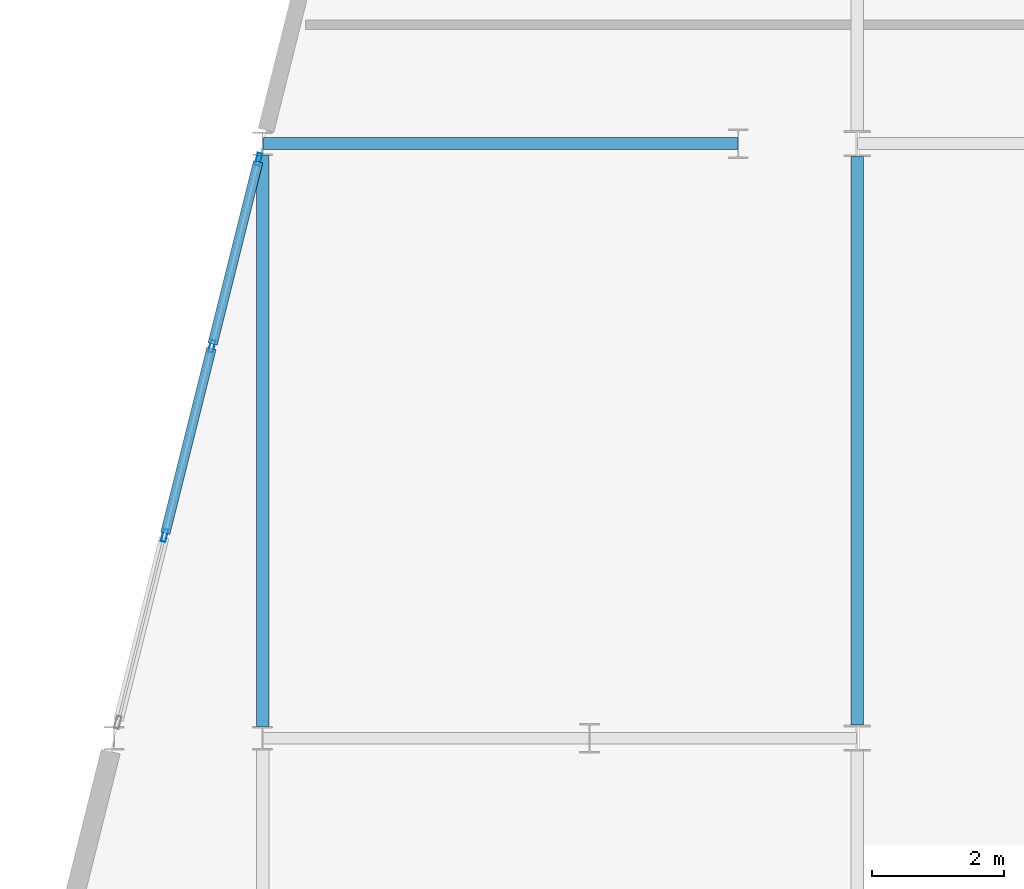
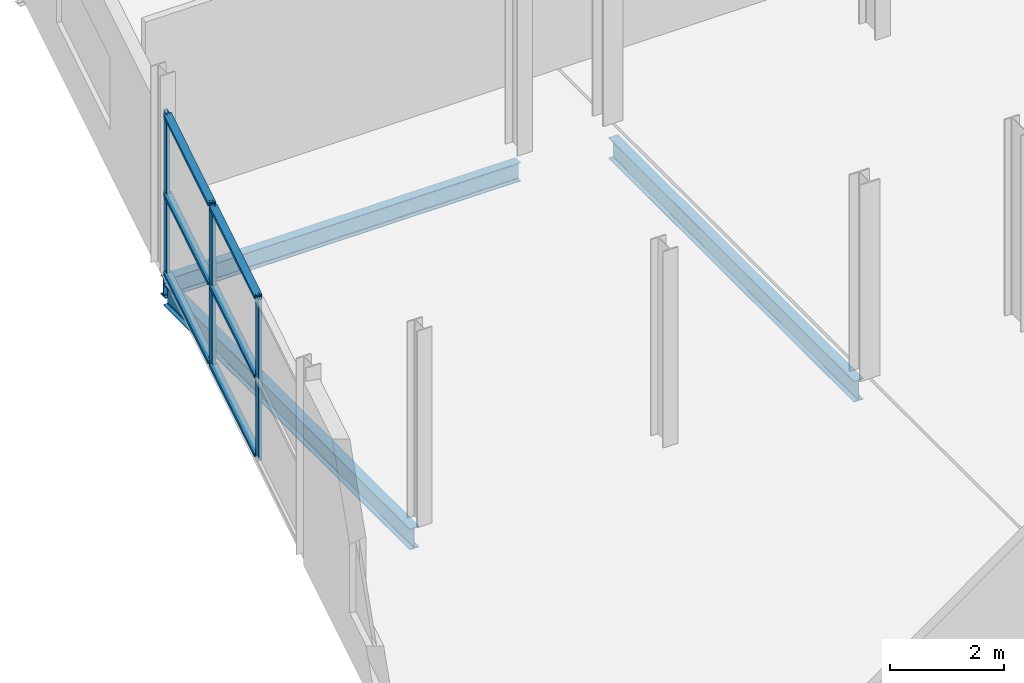
# One storey, part 57 of 103: 9 members, 3 beams, 1 element without a shape of its own.
"""IFC4 building model written with IfcOpenShell, lengths in metres."""

from ifc_helpers import new_model, si_unit, direction, frame, origin, origin_2d, place, context, subcontext, project, spatial, hollow_rectangle, i_section, extrude, material, layer, layer_set, material_profile, profile_set, type_object, element, aggregate, save


model = new_model("IFC4")

# Units and contexts
model_context = context("Model", 3, precision=1e-05, world=origin(), true_north=direction((0.0, 1.0)))
body_context = subcontext(model_context, "Body", "Model", "MODEL_VIEW")
ifc_project = project(units=[si_unit("LENGTHUNIT", "METRE"), si_unit("AREAUNIT", "SQUARE_METRE"), si_unit("VOLUMEUNIT", "CUBIC_METRE"), si_unit("PLANEANGLEUNIT", "RADIAN"), si_unit("MASSUNIT", "GRAM", prefix="KILO")], contexts=[model_context])

# Site, building, storey
site_placement = place(None, origin())
site = spatial("IfcSite", under=ifc_project, at=site_placement, CompositionType="ELEMENT")
building_placement = place(site_placement, origin())
building = spatial("IfcBuilding", under=site, at=building_placement, Name="Deido Ridge Mobility Hub", CompositionType="ELEMENT")
storey_placement = place(building_placement, frame((0.0, 0.0, 12.60009765625)))
storey = spatial("IfcBuildingStorey", under=building, at=storey_placement, Name="L03", CompositionType="ELEMENT", Elevation=12.60009765625)

# Beams
ifc_material_1 = material(Name="Steel S355J2 EN 10025-2", Category="steel")
ifc_material_profile_1 = material_profile(ifc_material_1, i_section(OverallWidth=0.179931640625, OverallDepth=0.39990234375, WebThickness=0.008544921875, FlangeThickness=0.013427734375, FilletRadius=0.02099609375, at=origin_2d()), Name="IPE 400")
ifc_profile_set_1 = profile_set([ifc_material_profile_1], Name="Steel S355J2 EN 10025-2")
beam_type_1 = type_object("IfcBeamType", Name="BM-IPE400", PredefinedType="BEAM", material=ifc_profile_set_1)
beam_1_placement = place(storey_placement, frame((135.006103515625, 54.0, -0.465087890625), z_axis=(1.0, 0.0, 0.0), x_axis=(0.0, 1.0, 0.0)))
element("IfcBeam", 1, at=beam_1_placement, inside=storey, type_object=beam_type_1, Name="Floor beam B5", PredefinedType="BEAM", context=body_context, shape_type="SweptSolid", body=[
    extrude(i_section(OverallWidth=0.179931640625, OverallDepth=0.39990234375, WebThickness=0.008544921875, FlangeThickness=0.013427734375, FilletRadius=0.02099609375, at=origin_2d()), origin(), (0.0, 0.0, 1.0), 7.18701171875),
])
ifc_material_profile_2 = material_profile(ifc_material_1, i_section(OverallWidth=0.18994140625, OverallDepth=0.449951171875, WebThickness=0.009521484375, FlangeThickness=0.0146484375, FilletRadius=0.02099609375, at=origin_2d()), Name="IPE 450")
ifc_profile_set_2 = profile_set([ifc_material_profile_2], Name="Steel S355J2 EN 10025-2")
beam_type_2 = type_object("IfcBeamType", Name="BM-IPE450", PredefinedType="BEAM", material=ifc_profile_set_2)
beam_2_placement = place(storey_placement, frame((135.0, 45.179931640625, -0.489990234375), z_axis=(0.0, 1.0, 0.0), x_axis=(-1.0, 0.0, 0.0)))
element("IfcBeam", 2, at=beam_2_placement, inside=storey, type_object=beam_type_2, Name="Floor beam B4", PredefinedType="BEAM", context=body_context, shape_type="SweptSolid", body=[
    extrude(i_section(OverallWidth=0.18994140625, OverallDepth=0.449951171875, WebThickness=0.009521484375, FlangeThickness=0.0146484375, FilletRadius=0.02099609375, at=origin_2d()), origin(), (0.0, 0.0, 1.0), 8.64013671875),
])
beam_3_placement = place(storey_placement, frame((144.0, 45.196533203125, -0.489990234375), z_axis=(0.0, 1.0, 0.0), x_axis=(-1.0, 0.0, 0.0)))
element("IfcBeam", 3, at=beam_3_placement, inside=storey, type_object=beam_type_2, Name="Floor beam B4", PredefinedType="BEAM", context=body_context, shape_type="SweptSolid", body=[
    extrude(i_section(OverallWidth=0.18994140625, OverallDepth=0.449951171875, WebThickness=0.009521484375, FlangeThickness=0.0146484375, FilletRadius=0.02099609375, at=origin_2d()), origin(), (0.0, 0.0, 1.0), 8.60693359375),
])

# Curtain wall, members
ifc_material_2 = material(Name="Anodised aluminium EN AW-6063 T6", Category="aluminium")
ifc_layer = layer(ifc_material_2, 0.239990234375, Name="Anodised aluminium EN AW-6063 T6")
ifc_layer_set = layer_set([ifc_layer], Name="Anodised aluminium EN AW-6063 T6")
curtain_wall_type = type_object("IfcCurtainWallType", Name="CW-UF-6", PredefinedType="USERDEFINED", material=ifc_layer_set)
curtain_wall_placement = place(storey_placement, origin())
curtain_wall = element("IfcCurtainWall", 4, at=curtain_wall_placement, inside=storey, type_object=curtain_wall_type, Name="Unitised curtain wall CW6", ObjectType="UNITISED FACADE", PredefinedType="USERDEFINED")
ifc_material_profile_3 = material_profile(ifc_material_2, hollow_rectangle(XDim=0.070068359375, YDim=0.18994140625, WallThickness=0.00390625, at=origin_2d()), Name="RHS 70x190x4")
ifc_profile_set_3 = profile_set([ifc_material_profile_3], Name="Anodised aluminium EN AW-6063 T6")
member_type_1 = type_object("IfcMemberType", Name="MEM-MUL-70X190", PredefinedType="MULLION", material=ifc_profile_set_3)
member_1_placement = place(storey_placement, frame((133.51708984375, 48.068115234375, 0.0), z_axis=(0.0, 0.0, 1.0), x_axis=(-0.970143828731, 0.242530310632, 0.0)))
member_1 = element("IfcMember", 5, at=member_1_placement, type_object=member_type_1, Name="CW6 mullion 2", PredefinedType="MULLION", context=body_context, shape_type="SweptSolid", body=[
    extrude(hollow_rectangle(XDim=0.070068359375, YDim=0.18994140625, WallThickness=0.00390625, at=origin_2d()), origin(), (0.0, 0.0, 1.0), 3.449951171875),
])
member_2_placement = place(storey_placement, frame((134.23291015625, 50.931884765625, 0.0), z_axis=(0.0, 0.0, 1.0), x_axis=(-0.970143828731, 0.242530310632, 0.0)))
member_2 = element("IfcMember", 6, at=member_2_placement, type_object=member_type_1, Name="CW6 mullion 3", PredefinedType="MULLION", context=body_context, shape_type="SweptSolid", body=[
    extrude(hollow_rectangle(XDim=0.070068359375, YDim=0.18994140625, WallThickness=0.00390625, at=origin_2d()), origin(), (0.0, 0.0, 1.0), 3.449951171875),
])
member_3_placement = place(storey_placement, frame((134.9404296875, 53.76123046875, 0.0), z_axis=(0.0, 0.0, 1.0), x_axis=(-0.970143828731, 0.242530310632, 0.0)))
member_3 = element("IfcMember", 7, at=member_3_placement, type_object=member_type_1, Name="CW6 mullion 4", PredefinedType="MULLION", context=body_context, shape_type="SweptSolid", body=[
    extrude(hollow_rectangle(XDim=0.070068359375, YDim=0.18994140625, WallThickness=0.00390625, at=origin_2d()), origin(), (0.0, 0.0, 1.0), 3.449951171875),
])
ifc_material_profile_4 = material_profile(ifc_material_2, hollow_rectangle(XDim=0.14501953125, YDim=0.070068359375, WallThickness=0.00390625, at=origin_2d()), Name="RHS 145x70x4")
ifc_profile_set_4 = profile_set([ifc_material_profile_4], Name="Anodised aluminium EN AW-6063 T6")
member_type_2 = type_object("IfcMemberType", Name="MEM-TRN-145X70", PredefinedType="USERDEFINED", material=ifc_profile_set_4)
member_4_placement = place(storey_placement, frame((133.525634765625, 48.102294921875, 0.034912109375), z_axis=(0.242495752138, 0.970152467499, 0.0), x_axis=(-0.970152467499, 0.242495752138, 0.0)))
member_4 = element("IfcMember", 8, at=member_4_placement, type_object=member_type_2, Name="CW6 transom 2.1", ObjectType="TRANSOM", PredefinedType="USERDEFINED", context=body_context, shape_type="SweptSolid", body=[
    extrude(hollow_rectangle(XDim=0.14501953125, YDim=0.070068359375, WallThickness=0.00390625, at=origin_2d()), origin(), (0.0, 0.0, 1.0), 2.88134765625),
])
member_5_placement = place(storey_placement, frame((133.525634765625, 48.102294921875, 1.724853515625), z_axis=(0.242495752138, 0.970152467499, 0.0), x_axis=(-0.970152467499, 0.242495752138, 0.0)))
member_5 = element("IfcMember", 9, at=member_5_placement, type_object=member_type_2, Name="CW6 transom 2.2", ObjectType="TRANSOM", PredefinedType="USERDEFINED", context=body_context, shape_type="SweptSolid", body=[
    extrude(hollow_rectangle(XDim=0.14501953125, YDim=0.070068359375, WallThickness=0.00390625, at=origin_2d()), origin(), (0.0, 0.0, 1.0), 2.88134765625),
])
member_6_placement = place(storey_placement, frame((133.525634765625, 48.102294921875, 3.414794921875), z_axis=(0.242495752138, 0.970152467499, 0.0), x_axis=(-0.970152467499, 0.242495752138, 0.0)))
member_6 = element("IfcMember", 10, at=member_6_placement, type_object=member_type_2, Name="CW6 transom 2.3", ObjectType="TRANSOM", PredefinedType="USERDEFINED", context=body_context, shape_type="SweptSolid", body=[
    extrude(hollow_rectangle(XDim=0.14501953125, YDim=0.070068359375, WallThickness=0.00390625, at=origin_2d()), origin(), (0.0, 0.0, 1.0), 2.88134765625),
])
member_7_placement = place(storey_placement, frame((134.241455078125, 50.9658203125, 0.034912109375), z_axis=(0.242555806014, 0.970137454678, 0.0), x_axis=(-0.970137454678, 0.242555806014, 0.0)))
member_7 = element("IfcMember", 11, at=member_7_placement, type_object=member_type_2, Name="CW6 transom 3.1", ObjectType="TRANSOM", PredefinedType="USERDEFINED", context=body_context, shape_type="SweptSolid", body=[
    extrude(hollow_rectangle(XDim=0.14501953125, YDim=0.070068359375, WallThickness=0.00390625, at=origin_2d()), origin(), (0.0, 0.0, 1.0), 2.846435546875),
])
member_8_placement = place(storey_placement, frame((134.241455078125, 50.9658203125, 1.724853515625), z_axis=(0.242555806014, 0.970137454678, 0.0), x_axis=(-0.970137454678, 0.242555806014, 0.0)))
member_8 = element("IfcMember", 12, at=member_8_placement, type_object=member_type_2, Name="CW6 transom 3.2", ObjectType="TRANSOM", PredefinedType="USERDEFINED", context=body_context, shape_type="SweptSolid", body=[
    extrude(hollow_rectangle(XDim=0.14501953125, YDim=0.070068359375, WallThickness=0.00390625, at=origin_2d()), origin(), (0.0, 0.0, 1.0), 2.846435546875),
])
member_9_placement = place(storey_placement, frame((134.241455078125, 50.9658203125, 3.414794921875), z_axis=(0.242555806014, 0.970137454678, 0.0), x_axis=(-0.970137454678, 0.242555806014, 0.0)))
member_9 = element("IfcMember", 13, at=member_9_placement, type_object=member_type_2, Name="CW6 transom 3.3", ObjectType="TRANSOM", PredefinedType="USERDEFINED", context=body_context, shape_type="SweptSolid", body=[
    extrude(hollow_rectangle(XDim=0.14501953125, YDim=0.070068359375, WallThickness=0.00390625, at=origin_2d()), origin(), (0.0, 0.0, 1.0), 2.846435546875),
])
aggregate(curtain_wall, [member_1, member_2, member_3, member_4, member_5, member_6, member_7, member_8, member_9])

save(model, "model.ifc")
